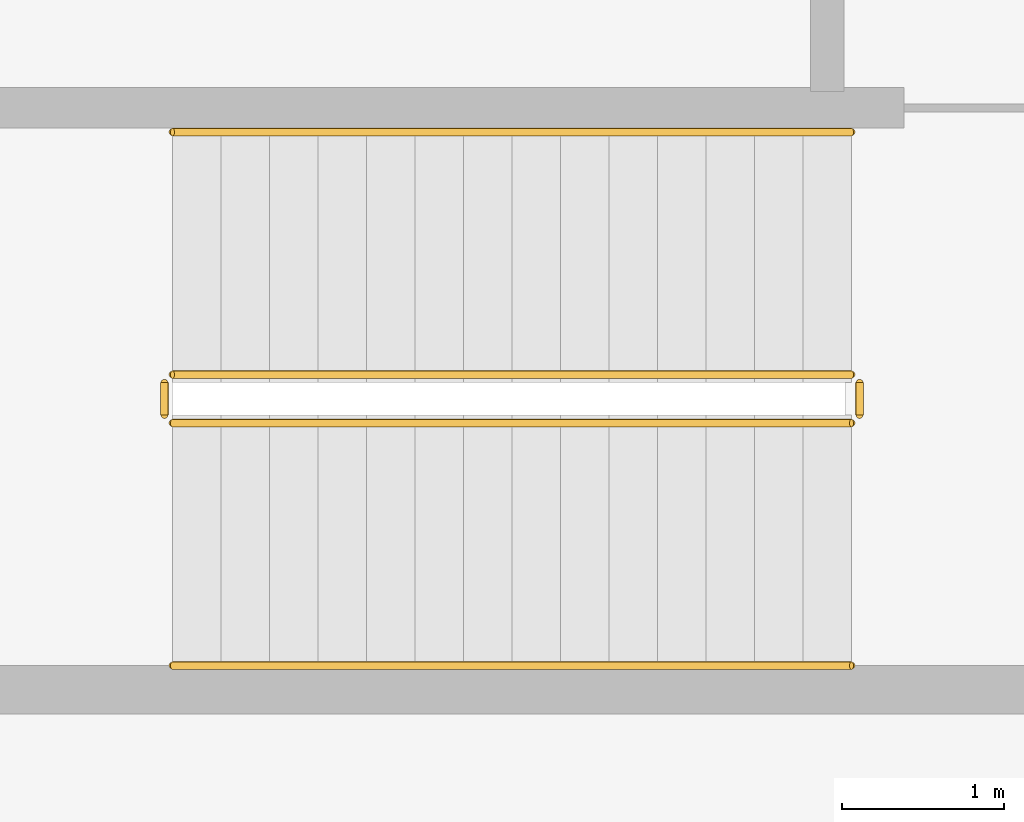
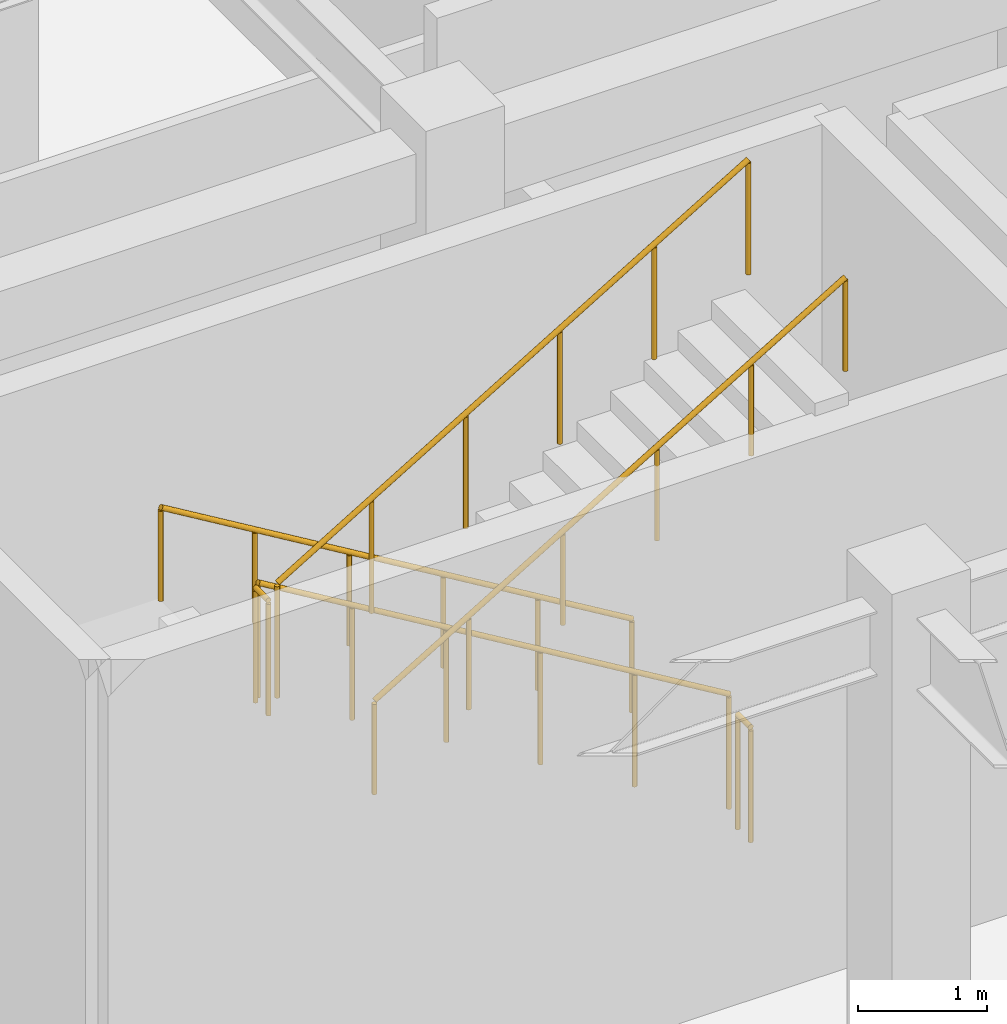
# One storey, part 101 of 102: 6 railings.
"""IFC4 building model written with IfcOpenShell, lengths in metres."""

from ifc_helpers import new_model, si_unit, direction, frame, origin, origin_2d, place, context, subcontext, project, spatial, circle, extrude, material, layer, layer_set, type_object, element, save


model = new_model("IFC4")

# Units and contexts
model_context = context("Model", 3, precision=1e-05, world=origin(), true_north=direction((0.0, 1.0)))
body_context = subcontext(model_context, "Body", "Model", "MODEL_VIEW")
ifc_project = project(units=[si_unit("LENGTHUNIT", "METRE"), si_unit("AREAUNIT", "SQUARE_METRE"), si_unit("VOLUMEUNIT", "CUBIC_METRE"), si_unit("PLANEANGLEUNIT", "RADIAN"), si_unit("MASSUNIT", "GRAM", prefix="KILO")], contexts=[model_context])

# Site, building, storey
site_placement = place(None, origin())
site = spatial("IfcSite", under=ifc_project, at=site_placement, CompositionType="ELEMENT")
building_placement = place(site_placement, origin())
building = spatial("IfcBuilding", under=site, at=building_placement, Name="Carrowvane Square Congress Hotel", CompositionType="ELEMENT")
storey_placement = place(building_placement, origin())
storey = spatial("IfcBuildingStorey", under=building, at=storey_placement, Name="L00", CompositionType="ELEMENT", Elevation=0.0)

# Railings
ifc_material_1 = material(Name="Stainless steel 316", Category="steel")
ifc_layer_1 = layer(ifc_material_1, 0.048095703125)
ifc_layer_set_1 = layer_set([ifc_layer_1], Name="Stainless steel 316")
railing_type_1 = type_object("IfcRailingType", Name="RLG-HR-900", PredefinedType="HANDRAIL", material=ifc_layer_set_1)
railing_1_placement = place(storey_placement, frame((170.85009765625, 61.550048828125, 0.179931640625)))
element("IfcRailing", 1, at=railing_1_placement, inside=storey, type_object=railing_type_1, Name="L00 ST4 stair handrail 1", PredefinedType="HANDRAIL", context=body_context, shape_type="SweptSolid", body=[
    extrude(circle(Radius=0.02392578125, at=origin_2d()), frame((0.0, 0.0, 0.8759765625), z_axis=(-0.857501721439, 0.0, 0.514481095599), x_axis=(0.0, -1.0, 0.0)), (0.0, 0.0, 1.0), 4.898193359375),
    extrude(circle(Radius=0.02099609375, at=origin_2d()), origin(), (0.0, 0.0, 1.0), 0.851806640625),
    extrude(circle(Radius=0.02099609375, at=origin_2d()), frame((-0.840087890625, 0.0, 0.50390625)), (0.0, 0.0, 1.0), 0.851806640625),
    extrude(circle(Radius=0.02099609375, at=origin_2d()), frame((-1.68017578125, 0.0, 1.008056640625)), (0.0, 0.0, 1.0), 0.851806640625),
    extrude(circle(Radius=0.02099609375, at=origin_2d()), frame((-2.52001953125, 0.0, 1.511962890625)), (0.0, 0.0, 1.0), 0.851806640625),
    extrude(circle(Radius=0.02099609375, at=origin_2d()), frame((-3.360107421875, 0.0, 2.01611328125)), (0.0, 0.0, 1.0), 0.851806640625),
    extrude(circle(Radius=0.02099609375, at=origin_2d()), frame((-4.2001953125, 0.0, 2.52001953125)), (0.0, 0.0, 1.0), 0.851806640625),
])
railing_2_placement = place(storey_placement, frame((166.64990234375, 58.25, 2.8798828125)))
element("IfcRailing", 2, at=railing_2_placement, inside=storey, type_object=railing_type_1, Name="L00 ST4 stair handrail 2", PredefinedType="HANDRAIL", context=body_context, shape_type="SweptSolid", body=[
    extrude(circle(Radius=0.02392578125, at=origin_2d()), frame((0.0, 0.0, 0.8759765625), z_axis=(0.857501721439, 0.0, 0.514481095599), x_axis=(0.0, 1.0, 0.0)), (0.0, 0.0, 1.0), 4.898193359375),
    extrude(circle(Radius=0.02099609375, at=origin_2d()), origin(), (0.0, 0.0, 1.0), 0.851806640625),
    extrude(circle(Radius=0.02099609375, at=origin_2d()), frame((0.840087890625, 0.0, 0.50390625)), (0.0, 0.0, 1.0), 0.851806640625),
    extrude(circle(Radius=0.02099609375, at=origin_2d()), frame((1.68017578125, 0.0, 1.008056640625)), (0.0, 0.0, 1.0), 0.851806640625),
    extrude(circle(Radius=0.02099609375, at=origin_2d()), frame((2.52001953125, 0.0, 1.511962890625)), (0.0, 0.0, 1.0), 0.851806640625),
    extrude(circle(Radius=0.02099609375, at=origin_2d()), frame((3.360107421875, 0.0, 2.01611328125)), (0.0, 0.0, 1.0), 0.851806640625),
    extrude(circle(Radius=0.02099609375, at=origin_2d()), frame((4.2001953125, 0.0, 2.52001953125)), (0.0, 0.0, 1.0), 0.851806640625),
])
ifc_material_2 = material(Name="Galvanised steel", Category="steel")
ifc_layer_2 = layer(ifc_material_2, 0.048095703125)
ifc_layer_set_2 = layer_set([ifc_layer_2], Name="Galvanised steel")
railing_type_2 = type_object("IfcRailingType", Name="RLG-STG-1100", PredefinedType="GUARDRAIL", material=ifc_layer_set_2)
railing_3_placement = place(storey_placement, frame((170.85009765625, 60.050048828125, 0.179931640625)))
element("IfcRailing", 3, at=railing_3_placement, inside=storey, type_object=railing_type_2, Name="L00 ST4 stair guard 1", PredefinedType="GUARDRAIL", context=body_context, shape_type="SweptSolid", body=[
    extrude(circle(Radius=0.02392578125, at=origin_2d()), frame((0.0, 0.0, 1.076171875), z_axis=(-0.857501721439, 0.0, 0.514481095599), x_axis=(0.0, -1.0, 0.0)), (0.0, 0.0, 1.0), 4.898193359375),
    extrude(circle(Radius=0.02099609375, at=origin_2d()), origin(), (0.0, 0.0, 1.0), 1.052001953125),
    extrude(circle(Radius=0.02099609375, at=origin_2d()), frame((-0.840087890625, 0.0, 0.50390625)), (0.0, 0.0, 1.0), 1.052001953125),
    extrude(circle(Radius=0.02099609375, at=origin_2d()), frame((-1.68017578125, 0.0, 1.008056640625)), (0.0, 0.0, 1.0), 1.052001953125),
    extrude(circle(Radius=0.02099609375, at=origin_2d()), frame((-2.52001953125, 0.0, 1.511962890625)), (0.0, 0.0, 1.0), 1.052001953125),
    extrude(circle(Radius=0.02099609375, at=origin_2d()), frame((-3.360107421875, 0.0, 2.01611328125)), (0.0, 0.0, 1.0), 1.052001953125),
    extrude(circle(Radius=0.02099609375, at=origin_2d()), frame((-4.2001953125, 0.0, 2.52001953125)), (0.0, 0.0, 1.0), 1.052001953125),
])
railing_4_placement = place(storey_placement, frame((166.60009765625, 60.0, 2.699951171875)))
element("IfcRailing", 4, at=railing_4_placement, inside=storey, type_object=railing_type_2, Name="L00 ST4 stair guard 2", PredefinedType="GUARDRAIL", context=body_context, shape_type="SweptSolid", body=[
    extrude(circle(Radius=0.02392578125, at=origin_2d()), frame((0.0, 0.0, 1.076171875), z_axis=(0.0, -1.0, 0.0), x_axis=(1.0, 0.0, 0.0)), (0.0, 0.0, 1.0), 0.199951171875),
    extrude(circle(Radius=0.02099609375, at=origin_2d()), origin(), (0.0, 0.0, 1.0), 1.052001953125),
    extrude(circle(Radius=0.02099609375, at=origin_2d()), frame((0.0, -0.199951171875, 0.0)), (0.0, 0.0, 1.0), 1.052001953125),
])
railing_5_placement = place(storey_placement, frame((166.64990234375, 59.75, 2.8798828125)))
element("IfcRailing", 5, at=railing_5_placement, inside=storey, type_object=railing_type_2, Name="L00 ST4 stair guard 3", PredefinedType="GUARDRAIL", context=body_context, shape_type="SweptSolid", body=[
    extrude(circle(Radius=0.02392578125, at=origin_2d()), frame((0.0, 0.0, 1.076171875), z_axis=(0.857501721439, 0.0, 0.514481095599), x_axis=(0.0, 1.0, 0.0)), (0.0, 0.0, 1.0), 4.898193359375),
    extrude(circle(Radius=0.02099609375, at=origin_2d()), origin(), (0.0, 0.0, 1.0), 1.052001953125),
    extrude(circle(Radius=0.02099609375, at=origin_2d()), frame((0.840087890625, 0.0, 0.50390625)), (0.0, 0.0, 1.0), 1.052001953125),
    extrude(circle(Radius=0.02099609375, at=origin_2d()), frame((1.68017578125, 0.0, 1.008056640625)), (0.0, 0.0, 1.0), 1.052001953125),
    extrude(circle(Radius=0.02099609375, at=origin_2d()), frame((2.52001953125, 0.0, 1.511962890625)), (0.0, 0.0, 1.0), 1.052001953125),
    extrude(circle(Radius=0.02099609375, at=origin_2d()), frame((3.360107421875, 0.0, 2.01611328125)), (0.0, 0.0, 1.0), 1.052001953125),
    extrude(circle(Radius=0.02099609375, at=origin_2d()), frame((4.2001953125, 0.0, 2.52001953125)), (0.0, 0.0, 1.0), 1.052001953125),
])
railing_6_placement = place(storey_placement, frame((170.89990234375, 60.0, 0.0)))
element("IfcRailing", 6, at=railing_6_placement, inside=storey, type_object=railing_type_2, Name="L00 ST4 stair guard 4", PredefinedType="GUARDRAIL", context=body_context, shape_type="SweptSolid", body=[
    extrude(circle(Radius=0.02392578125, at=origin_2d()), frame((0.0, 0.0, 1.076171875), z_axis=(0.0, -1.0, 0.0), x_axis=(1.0, 0.0, 0.0)), (0.0, 0.0, 1.0), 0.199951171875),
    extrude(circle(Radius=0.02099609375, at=origin_2d()), origin(), (0.0, 0.0, 1.0), 1.052001953125),
    extrude(circle(Radius=0.02099609375, at=origin_2d()), frame((0.0, -0.199951171875, 0.0)), (0.0, 0.0, 1.0), 1.052001953125),
])

save(model, "model.ifc")
